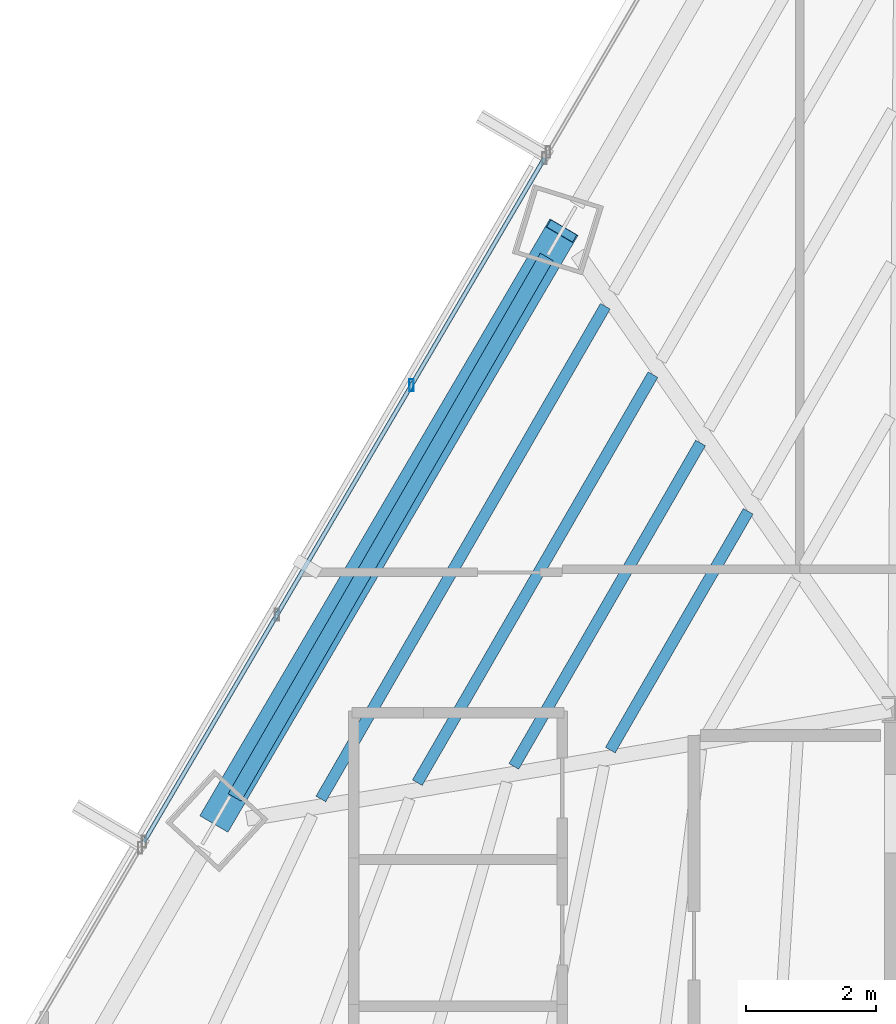
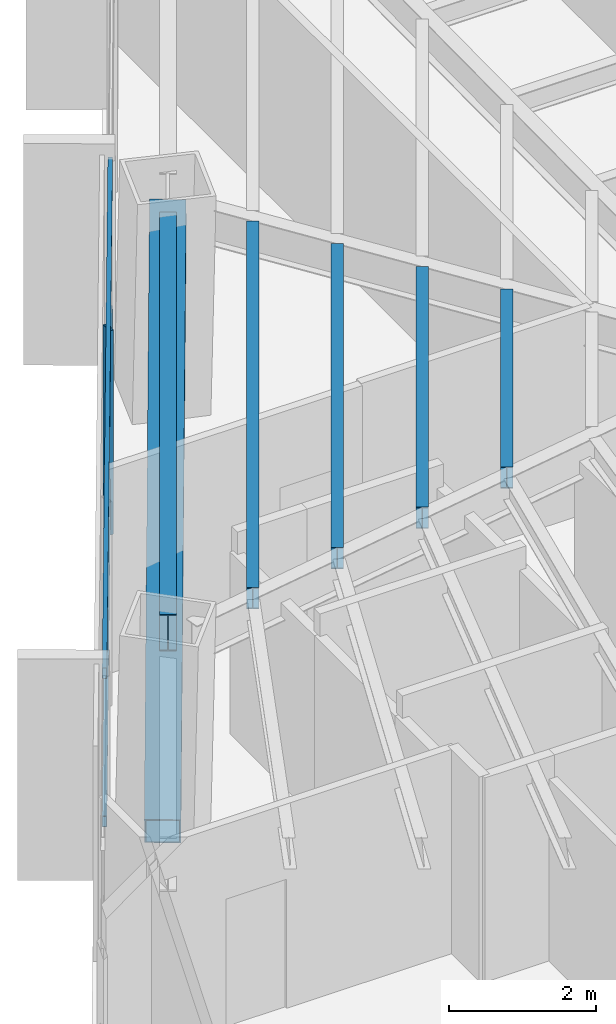
# One storey, part 13 of 37: 5 beams, 4 members, 1 element without a shape of its own.
"""IFC4 building model written with IfcOpenShell, lengths in metres."""

from ifc_helpers import new_model, si_unit, direction, frame, origin, origin_2d, place, context, subcontext, project, spatial, hollow_rectangle, i_section, extrude, source, transform, mapped, material, material_profile, profile_set, type_object, type_shapes, element, aggregate, save


model = new_model("IFC4")

# Units and contexts
model_context = context("Model", 3, precision=1e-05, world=origin(), true_north=direction((0.0, 1.0)))
body_context = subcontext(model_context, "Body", "Model", "MODEL_VIEW")
ifc_project = project(units=[si_unit("LENGTHUNIT", "METRE"), si_unit("AREAUNIT", "SQUARE_METRE"), si_unit("VOLUMEUNIT", "CUBIC_METRE"), si_unit("PLANEANGLEUNIT", "RADIAN"), si_unit("MASSUNIT", "GRAM", prefix="KILO")], contexts=[model_context])

# Site, building, storey
site_placement = place(None, origin())
site = spatial("IfcSite", under=ifc_project, at=site_placement, CompositionType="ELEMENT")
building_placement = place(site_placement, origin())
building = spatial("IfcBuilding", under=site, at=building_placement, Name="Caelisora Broadcast Tower", CompositionType="ELEMENT")
storey_placement = place(building_placement, frame((0.0, 0.0, 105.39990234375)))
storey = spatial("IfcBuildingStorey", under=building, at=storey_placement, Name="L27", CompositionType="ELEMENT", Elevation=105.39990234375)

# Beams
ifc_material_1 = material(Name="Steel Grade 350 (AS/NZS 3679.1)", Category="steel")
ifc_material_profile_1 = material_profile(ifc_material_1, i_section(OverallWidth=0.22900390625, OverallDepth=0.611572265625, WebThickness=0.011962890625, FlangeThickness=0.01953125, at=origin_2d()), Name="Steel Grade 350 (AS/NZS 3679.1)")
ifc_profile_set_1 = profile_set([ifc_material_profile_1], Name="Steel Grade 350 (AS/NZS 3679.1)")
beam_type_1 = type_object("IfcBeamType", Name="PG03", PredefinedType="BEAM", material=ifc_profile_set_1)
shared_shape_1 = source(origin(), body_context, "Body", "SweptSolid", [
    extrude(i_section(OverallWidth=0.22900390625, OverallDepth=0.611572265625, WebThickness=0.011962890625, FlangeThickness=0.01953125, at=origin_2d()), origin(), (0.0, 0.0, 1.0), 9.56591796875),
])
type_shapes(beam_type_1, [shared_shape_1])
beam_1_placement = place(storey_placement, frame((25.160888671875, 36.935546875, 3.09423828125), z_axis=(-0.499995660965, -0.866027908913, 0.0), x_axis=(0.866027908913, -0.499995660965, 0.0)))
element("IfcBeam", 1, at=beam_1_placement, inside=storey, type_object=beam_type_1, Name="L27 beam PG03", PredefinedType="BEAM", context=body_context, shape_type="MappedRepresentation", body=[
    mapped(shared_shape_1, transform((0.0, 0.0, 0.0), scale=1.0)),
])
ifc_material_profile_2 = material_profile(ifc_material_1, i_section(OverallWidth=0.172119140625, OverallDepth=0.358642578125, WebThickness=0.008056640625, FlangeThickness=0.012939453125, at=origin_2d()), Name="Steel Grade 350 (AS/NZS 3679.1)")
ifc_profile_set_2 = profile_set([ifc_material_profile_2], Name="Steel Grade 350 (AS/NZS 3679.1)")
beam_type_2 = type_object("IfcBeamType", Name="SB02", PredefinedType="JOIST", material=ifc_profile_set_2)
shared_shape_2 = source(origin(), body_context, "Body", "SweptSolid", [
    extrude(i_section(OverallWidth=0.172119140625, OverallDepth=0.358642578125, WebThickness=0.008056640625, FlangeThickness=0.012939453125, at=origin_2d()), origin(), (0.0, 0.0, 1.0), 4.226318359375),
])
beam_2_placement = place(storey_placement, frame((28.2490234375, 33.03662109375, 3.220703125), z_axis=(-0.500040817583, -0.866001836459, 0.0), x_axis=(0.866001836459, -0.500040817583, 0.0)))
element("IfcBeam", 2, at=beam_2_placement, inside=storey, type_object=beam_type_2, Name="L27 beam SB02", PredefinedType="JOIST", context=body_context, shape_type="MappedRepresentation", body=[
    mapped(shared_shape_2, transform((0.0, 0.0, 0.0), scale=1.0)),
])
shared_shape_3 = source(origin(), body_context, "Body", "SweptSolid", [
    extrude(i_section(OverallWidth=0.172119140625, OverallDepth=0.358642578125, WebThickness=0.008056640625, FlangeThickness=0.012939453125, at=origin_2d()), origin(), (0.0, 0.0, 1.0), 5.724365234375),
])
beam_3_placement = place(storey_placement, frame((27.51904296875, 34.08447265625, 3.220703125), z_axis=(-0.499978422484, -0.86603786121, 0.0), x_axis=(0.86603786121, -0.499978422484, 0.0)))
element("IfcBeam", 3, at=beam_3_placement, inside=storey, type_object=beam_type_2, Name="L27 beam SB02", PredefinedType="JOIST", context=body_context, shape_type="MappedRepresentation", body=[
    mapped(shared_shape_3, transform((0.0, 0.0, 0.0), scale=1.0)),
])
shared_shape_4 = source(origin(), body_context, "Body", "SweptSolid", [
    extrude(i_section(OverallWidth=0.172119140625, OverallDepth=0.358642578125, WebThickness=0.008056640625, FlangeThickness=0.012939453125, at=origin_2d()), origin(), (0.0, 0.0, 1.0), 7.222412109375),
])
beam_4_placement = place(storey_placement, frame((26.789306640625, 35.132080078125, 3.220703125), z_axis=(-0.500021890679, -0.866012764826, 0.0), x_axis=(0.866012764826, -0.500021890679, 0.0)))
element("IfcBeam", 4, at=beam_4_placement, inside=storey, type_object=beam_type_2, Name="L27 beam SB02", PredefinedType="JOIST", context=body_context, shape_type="MappedRepresentation", body=[
    mapped(shared_shape_4, transform((0.0, 0.0, 0.0), scale=1.0)),
])
shared_shape_5 = source(origin(), body_context, "Body", "SweptSolid", [
    extrude(i_section(OverallWidth=0.172119140625, OverallDepth=0.358642578125, WebThickness=0.008056640625, FlangeThickness=0.012939453125, at=origin_2d()), origin(), (0.0, 0.0, 1.0), 8.720458984375),
])
type_shapes(beam_type_2, [shared_shape_2, shared_shape_3, shared_shape_4, shared_shape_5])
beam_5_placement = place(storey_placement, frame((26.059326171875, 36.179931640625, 3.220703125), z_axis=(-0.499984184292, -0.866034534795, 0.0), x_axis=(0.866034534795, -0.499984184292, 0.0)))
element("IfcBeam", 5, at=beam_5_placement, inside=storey, type_object=beam_type_2, Name="L27 beam SB02", PredefinedType="JOIST", context=body_context, shape_type="MappedRepresentation", body=[
    mapped(shared_shape_5, transform((0.0, 0.0, 0.0), scale=1.0)),
])

# Member
ifc_material_2 = material(Name="Steel Grade 450 L15 (AS/NZS 3678)", Category="steel")
ifc_material_profile_3 = material_profile(ifc_material_2, hollow_rectangle(XDim=0.5, YDim=0.5, WallThickness=0.02001953125, at=origin_2d()), Name="Steel Grade 450 L15 (AS/NZS 3678)")
ifc_profile_set_3 = profile_set([ifc_material_profile_3], Name="Steel Grade 450 L15 (AS/NZS 3678)")
member_type_1 = type_object("IfcMemberType", Name="BR02", PredefinedType="BRACE", material=ifc_profile_set_3)
shared_shape_6 = source(origin(), body_context, "Body", "SweptSolid", [
    extrude(hollow_rectangle(XDim=0.5, YDim=0.5, WallThickness=0.02001953125, at=origin_2d()), origin(), (0.0, 0.0, 1.0), 10.891357421875),
])
type_shapes(member_type_1, [shared_shape_6])
member_1_placement = place(storey_placement, frame((25.39111328125, 37.333984375, 3.10009765625), z_axis=(-0.486400506254, -0.829182963585, -0.275445385541), x_axis=(0.862549194032, -0.505973208653, 0.0)))
element("IfcMember", 6, at=member_1_placement, inside=storey, type_object=member_type_1, Name="L27 perimeter brace BR02", PredefinedType="BRACE", context=body_context, shape_type="MappedRepresentation", body=[
    mapped(shared_shape_6, transform((0.0, 0.0, 0.0), scale=1.0)),
])

# Curtain wall, members
ifc_material_3 = material(Name="Unitised Aluminium Insulated Shadow-Box Spandrel Curtain Wall", Category="aluminium")
curtain_wall_type = type_object("IfcCurtainWallType", Name="CW-SP1", PredefinedType="NOTDEFINED", material=ifc_material_3)
curtain_wall_placement = place(storey_placement, origin())
curtain_wall = element("IfcCurtainWall", 7, at=curtain_wall_placement, inside=storey, type_object=curtain_wall_type, Name="L27 curtain wall CW-SP1", PredefinedType="NOTDEFINED")
ifc_material_4 = material(Name="Aluminium 6063-T6 Anodised Terracotta Bronze", Category="aluminium")
ifc_material_profile_4 = material_profile(ifc_material_4, hollow_rectangle(XDim=0.06494140625, YDim=0.179931640625, WallThickness=0.00341796875, at=origin_2d()), Name="Aluminium 6063-T6 Anodised Terracotta Bronze")
ifc_profile_set_4 = profile_set([ifc_material_profile_4], Name="Aluminium 6063-T6 Anodised Terracotta Bronze")
member_type_2 = type_object("IfcMemberType", Name="CWM-02", PredefinedType="MULLION", material=ifc_profile_set_4)
shared_shape_7 = source(origin(), body_context, "Body", "SweptSolid", [
    extrude(hollow_rectangle(XDim=0.06494140625, YDim=0.179931640625, WallThickness=0.00341796875, at=origin_2d()), origin(), (0.0, 0.0, 1.0), 3.400146484375),
])
type_shapes(member_type_2, [shared_shape_7])
member_2_placement = place(storey_placement, frame((23.088623046875, 34.970703125, 0.0), z_axis=(0.0, 0.0, 1.0), x_axis=(1.0, 0.0, 0.0)))
member_2 = element("IfcMember", 8, at=member_2_placement, type_object=member_type_2, Name="L27-CW-B10 mullion #2", PredefinedType="MULLION", context=body_context, shape_type="MappedRepresentation", body=[
    mapped(shared_shape_7, transform((0.0, 0.0, 0.0), scale=1.0)),
])
ifc_material_profile_5 = material_profile(ifc_material_4, hollow_rectangle(XDim=0.06494140625, YDim=0.179931640625, WallThickness=0.00341796875, at=origin_2d()), Name="Aluminium 6063-T6 Anodised Terracotta Bronze")
ifc_profile_set_5 = profile_set([ifc_material_profile_5], Name="Aluminium 6063-T6 Anodised Terracotta Bronze")
member_type_3 = type_object("IfcMemberType", Name="CWT-01", PredefinedType="USERDEFINED", material=ifc_profile_set_5)
shared_shape_8 = source(origin(), body_context, "Body", "SweptSolid", [
    extrude(hollow_rectangle(XDim=0.06494140625, YDim=0.179931640625, WallThickness=0.00341796875, at=origin_2d()), origin(), (0.0, 0.0, 1.0), 12.1435546875),
])
type_shapes(member_type_3, [shared_shape_8])
member_3_placement = place(storey_placement, frame((18.988037109375, 27.97119140625, 0.85009765625), z_axis=(0.505491427607, 0.862831627037, 0.0), x_axis=(-0.862831627037, 0.505491427607, 0.0)))
member_3 = element("IfcMember", 9, at=member_3_placement, type_object=member_type_3, Name="L27-CW-B10 transom #1", ObjectType="TRANSOM", PredefinedType="USERDEFINED", context=body_context, shape_type="MappedRepresentation", body=[
    mapped(shared_shape_8, transform((0.0, 0.0, 0.0), scale=1.0)),
])
member_4_placement = place(storey_placement, frame((18.988037109375, 27.97119140625, 3.320068359375), z_axis=(0.505491427607, 0.862831627037, 0.0), x_axis=(-0.862831627037, 0.505491427607, 0.0)))
member_4 = element("IfcMember", 10, at=member_4_placement, type_object=member_type_3, Name="L27-CW-B10 transom #2", ObjectType="TRANSOM", PredefinedType="USERDEFINED", context=body_context, shape_type="MappedRepresentation", body=[
    mapped(shared_shape_8, transform((0.0, 0.0, 0.0), scale=1.0)),
])
aggregate(curtain_wall, [member_2, member_3, member_4])

save(model, "model.ifc")
